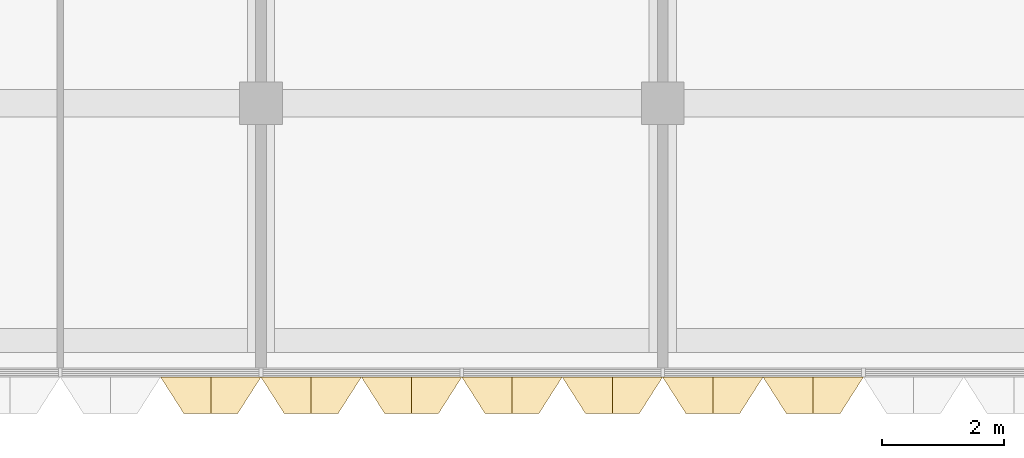
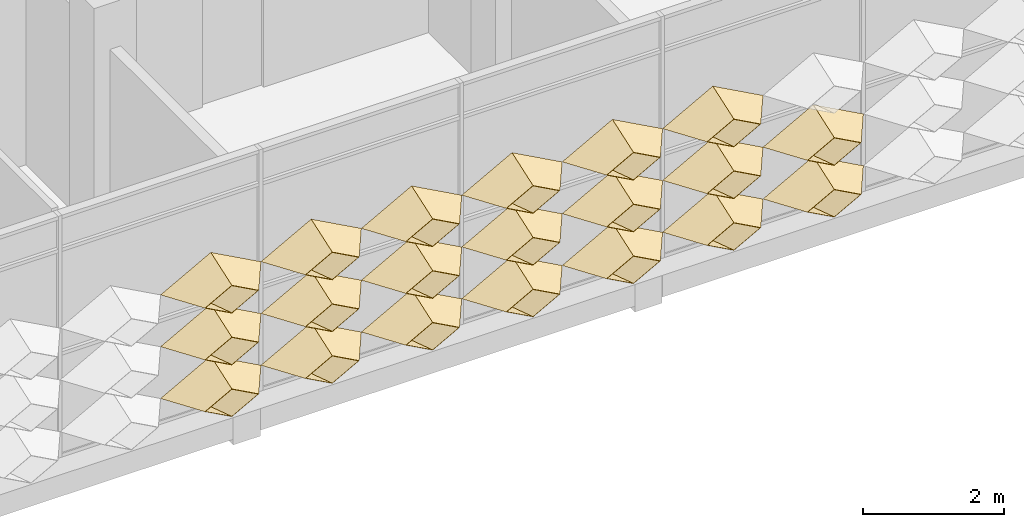
# One storey, part 34 of 61: 20 coverings.
"""IFC4 building model written with IfcOpenShell, lengths in metres."""

from ifc_helpers import new_model, entity, si_unit, direction, frame, origin, place, context, subcontext, project, spatial, material, layer, layer_set, type_object, element, save


model = new_model("IFC4")

# Units and contexts
model_context = context("Model", 3, precision=1e-05, world=origin(), true_north=direction((0.0, 1.0)))
body_context = subcontext(model_context, "Body", "Model", "MODEL_VIEW")
ifc_project = project(units=[si_unit("LENGTHUNIT", "METRE"), si_unit("AREAUNIT", "SQUARE_METRE"), si_unit("VOLUMEUNIT", "CUBIC_METRE"), si_unit("PLANEANGLEUNIT", "RADIAN"), si_unit("MASSUNIT", "GRAM", prefix="KILO")], contexts=[model_context])

# Site, building, storey
site_placement = place(None, origin())
site = spatial("IfcSite", under=ifc_project, at=site_placement, CompositionType="ELEMENT")
building_placement = place(site_placement, origin())
building = spatial("IfcBuilding", under=site, at=building_placement, Name="Lantern Court Research Institute", CompositionType="ELEMENT")
storey_placement = place(building_placement, frame((0.0, 0.0, 23.39990234375)))
storey = spatial("IfcBuildingStorey", under=building, at=storey_placement, Name="L05", CompositionType="ELEMENT", Elevation=23.39990234375)

# Coverings
ifc_material = material(Name="Anodised aluminium", Category="aluminium")
ifc_layer = layer(ifc_material, 0.01611328125)
ifc_layer_set = layer_set([ifc_layer], Name="Anodised aluminium")
covering_type = type_object("IfcCoveringType", Name="Fin cassette 1650 x 900 x 600 aluminium", PredefinedType="CLADDING", material=ifc_layer_set)
covering_1_placement = place(storey_placement, frame((18.97509765625, -8.39990234375, 0.4501953125), z_axis=(0.0, -1.0, 0.0), x_axis=(1.0, 0.0, 0.0)))
cartesian_point_1 = entity("IfcCartesianPoint", [0.824951171875, 0.0])
cartesian_point_2 = entity("IfcCartesianPoint", [0.79150390625, 0.0])
cartesian_point_3 = entity("IfcCartesianPoint", [0.44189453125, 0.0])
cartesian_point_4 = entity("IfcCartesianPoint", [0.43359375, 0.0])
element("IfcCovering", 1, at=covering_1_placement, inside=storey, type_object=covering_type, Name="Fin cassette V4S-L05 1.12", PredefinedType="CLADDING", context=body_context, shape_type="SweptSolid", body=[
    entity("IfcExtrudedAreaSolidTapered", entity("IfcArbitraryProfileDefWithVoids", "AREA", None, entity("IfcPolyline", [cartesian_point_1, entity("IfcCartesianPoint", [0.0, 0.449951171875]), entity("IfcCartesianPoint", [-0.824951171875, 0.0]), entity("IfcCartesianPoint", [0.0, -0.449951171875]), cartesian_point_1]), [entity("IfcPolyline", [cartesian_point_2, entity("IfcCartesianPoint", [0.0, 0.431884765625]), entity("IfcCartesianPoint", [-0.79150390625, 0.0]), entity("IfcCartesianPoint", [0.0, -0.431884765625]), cartesian_point_2])]), entity("IfcAxis2Placement3D", entity("IfcCartesianPoint", [0.0, 0.0, 0.0])), entity("IfcDirection", [0.0, 0.0, 1.0]), 0.60009765625, entity("IfcArbitraryProfileDefWithVoids", "AREA", None, entity("IfcPolyline", [cartesian_point_3, entity("IfcCartesianPoint", [0.0, 0.240966796875]), entity("IfcCartesianPoint", [-0.44189453125, 0.0]), entity("IfcCartesianPoint", [0.0, -0.240966796875]), cartesian_point_3]), [entity("IfcPolyline", [cartesian_point_4, entity("IfcCartesianPoint", [0.0, 0.236572265625]), entity("IfcCartesianPoint", [-0.43359375, 0.0]), entity("IfcCartesianPoint", [0.0, -0.236572265625]), cartesian_point_4])])),
])
covering_2_placement = place(storey_placement, frame((20.625, -8.39990234375, 0.4501953125), z_axis=(0.0, -1.0, 0.0), x_axis=(1.0, 0.0, 0.0)))
cartesian_point_5 = entity("IfcCartesianPoint", [0.824951171875, 0.0])
cartesian_point_6 = entity("IfcCartesianPoint", [0.79150390625, 0.0])
cartesian_point_7 = entity("IfcCartesianPoint", [0.44189453125, 0.0])
cartesian_point_8 = entity("IfcCartesianPoint", [0.43359375, 0.0])
element("IfcCovering", 2, at=covering_2_placement, inside=storey, type_object=covering_type, Name="Fin cassette V4S-L05 1.13", PredefinedType="CLADDING", context=body_context, shape_type="SweptSolid", body=[
    entity("IfcExtrudedAreaSolidTapered", entity("IfcArbitraryProfileDefWithVoids", "AREA", None, entity("IfcPolyline", [cartesian_point_5, entity("IfcCartesianPoint", [0.0, 0.449951171875]), entity("IfcCartesianPoint", [-0.824951171875, 0.0]), entity("IfcCartesianPoint", [0.0, -0.449951171875]), cartesian_point_5]), [entity("IfcPolyline", [cartesian_point_6, entity("IfcCartesianPoint", [0.0, 0.431884765625]), entity("IfcCartesianPoint", [-0.79150390625, 0.0]), entity("IfcCartesianPoint", [0.0, -0.431884765625]), cartesian_point_6])]), entity("IfcAxis2Placement3D", entity("IfcCartesianPoint", [0.0, 0.0, 0.0])), entity("IfcDirection", [0.0, 0.0, 1.0]), 0.60009765625, entity("IfcArbitraryProfileDefWithVoids", "AREA", None, entity("IfcPolyline", [cartesian_point_7, entity("IfcCartesianPoint", [0.0, 0.240966796875]), entity("IfcCartesianPoint", [-0.44189453125, 0.0]), entity("IfcCartesianPoint", [0.0, -0.240966796875]), cartesian_point_7]), [entity("IfcPolyline", [cartesian_point_8, entity("IfcCartesianPoint", [0.0, 0.236572265625]), entity("IfcCartesianPoint", [-0.43359375, 0.0]), entity("IfcCartesianPoint", [0.0, -0.236572265625]), cartesian_point_8])])),
])
covering_3_placement = place(storey_placement, frame((22.27490234375, -8.39990234375, 0.4501953125), z_axis=(0.0, -1.0, 0.0), x_axis=(1.0, 0.0, 0.0)))
cartesian_point_9 = entity("IfcCartesianPoint", [0.824951171875, 0.0])
cartesian_point_10 = entity("IfcCartesianPoint", [0.79150390625, 0.0])
cartesian_point_11 = entity("IfcCartesianPoint", [0.44189453125, 0.0])
cartesian_point_12 = entity("IfcCartesianPoint", [0.43359375, 0.0])
element("IfcCovering", 3, at=covering_3_placement, inside=storey, type_object=covering_type, Name="Fin cassette V4S-L05 1.14", PredefinedType="CLADDING", context=body_context, shape_type="SweptSolid", body=[
    entity("IfcExtrudedAreaSolidTapered", entity("IfcArbitraryProfileDefWithVoids", "AREA", None, entity("IfcPolyline", [cartesian_point_9, entity("IfcCartesianPoint", [0.0, 0.449951171875]), entity("IfcCartesianPoint", [-0.824951171875, 0.0]), entity("IfcCartesianPoint", [0.0, -0.449951171875]), cartesian_point_9]), [entity("IfcPolyline", [cartesian_point_10, entity("IfcCartesianPoint", [0.0, 0.431884765625]), entity("IfcCartesianPoint", [-0.79150390625, 0.0]), entity("IfcCartesianPoint", [0.0, -0.431884765625]), cartesian_point_10])]), entity("IfcAxis2Placement3D", entity("IfcCartesianPoint", [0.0, 0.0, 0.0])), entity("IfcDirection", [0.0, 0.0, 1.0]), 0.60009765625, entity("IfcArbitraryProfileDefWithVoids", "AREA", None, entity("IfcPolyline", [cartesian_point_11, entity("IfcCartesianPoint", [0.0, 0.240966796875]), entity("IfcCartesianPoint", [-0.44189453125, 0.0]), entity("IfcCartesianPoint", [0.0, -0.240966796875]), cartesian_point_11]), [entity("IfcPolyline", [cartesian_point_12, entity("IfcCartesianPoint", [0.0, 0.236572265625]), entity("IfcCartesianPoint", [-0.43359375, 0.0]), entity("IfcCartesianPoint", [0.0, -0.236572265625]), cartesian_point_12])])),
])
covering_4_placement = place(storey_placement, frame((23.925048828125, -8.39990234375, 0.4501953125), z_axis=(0.0, -1.0, 0.0), x_axis=(1.0, 0.0, 0.0)))
cartesian_point_13 = entity("IfcCartesianPoint", [0.824951171875, 0.0])
cartesian_point_14 = entity("IfcCartesianPoint", [0.79150390625, 0.0])
cartesian_point_15 = entity("IfcCartesianPoint", [0.44189453125, 0.0])
cartesian_point_16 = entity("IfcCartesianPoint", [0.43359375, 0.0])
element("IfcCovering", 4, at=covering_4_placement, inside=storey, type_object=covering_type, Name="Fin cassette V4S-L05 1.15", PredefinedType="CLADDING", context=body_context, shape_type="SweptSolid", body=[
    entity("IfcExtrudedAreaSolidTapered", entity("IfcArbitraryProfileDefWithVoids", "AREA", None, entity("IfcPolyline", [cartesian_point_13, entity("IfcCartesianPoint", [0.0, 0.449951171875]), entity("IfcCartesianPoint", [-0.824951171875, 0.0]), entity("IfcCartesianPoint", [0.0, -0.449951171875]), cartesian_point_13]), [entity("IfcPolyline", [cartesian_point_14, entity("IfcCartesianPoint", [0.0, 0.431884765625]), entity("IfcCartesianPoint", [-0.79150390625, 0.0]), entity("IfcCartesianPoint", [0.0, -0.431884765625]), cartesian_point_14])]), entity("IfcAxis2Placement3D", entity("IfcCartesianPoint", [0.0, 0.0, 0.0])), entity("IfcDirection", [0.0, 0.0, 1.0]), 0.60009765625, entity("IfcArbitraryProfileDefWithVoids", "AREA", None, entity("IfcPolyline", [cartesian_point_15, entity("IfcCartesianPoint", [0.0, 0.240966796875]), entity("IfcCartesianPoint", [-0.44189453125, 0.0]), entity("IfcCartesianPoint", [0.0, -0.240966796875]), cartesian_point_15]), [entity("IfcPolyline", [cartesian_point_16, entity("IfcCartesianPoint", [0.0, 0.236572265625]), entity("IfcCartesianPoint", [-0.43359375, 0.0]), entity("IfcCartesianPoint", [0.0, -0.236572265625]), cartesian_point_16])])),
])
covering_5_placement = place(storey_placement, frame((25.574951171875, -8.39990234375, 0.4501953125), z_axis=(0.0, -1.0, 0.0), x_axis=(1.0, 0.0, 0.0)))
cartesian_point_17 = entity("IfcCartesianPoint", [0.824951171875, 0.0])
cartesian_point_18 = entity("IfcCartesianPoint", [0.79150390625, 0.0])
cartesian_point_19 = entity("IfcCartesianPoint", [0.44189453125, 0.0])
cartesian_point_20 = entity("IfcCartesianPoint", [0.43359375, 0.0])
element("IfcCovering", 5, at=covering_5_placement, inside=storey, type_object=covering_type, Name="Fin cassette V4S-L05 1.16", PredefinedType="CLADDING", context=body_context, shape_type="SweptSolid", body=[
    entity("IfcExtrudedAreaSolidTapered", entity("IfcArbitraryProfileDefWithVoids", "AREA", None, entity("IfcPolyline", [cartesian_point_17, entity("IfcCartesianPoint", [0.0, 0.449951171875]), entity("IfcCartesianPoint", [-0.824951171875, 0.0]), entity("IfcCartesianPoint", [0.0, -0.449951171875]), cartesian_point_17]), [entity("IfcPolyline", [cartesian_point_18, entity("IfcCartesianPoint", [0.0, 0.431884765625]), entity("IfcCartesianPoint", [-0.79150390625, 0.0]), entity("IfcCartesianPoint", [0.0, -0.431884765625]), cartesian_point_18])]), entity("IfcAxis2Placement3D", entity("IfcCartesianPoint", [0.0, 0.0, 0.0])), entity("IfcDirection", [0.0, 0.0, 1.0]), 0.60009765625, entity("IfcArbitraryProfileDefWithVoids", "AREA", None, entity("IfcPolyline", [cartesian_point_19, entity("IfcCartesianPoint", [0.0, 0.240966796875]), entity("IfcCartesianPoint", [-0.44189453125, 0.0]), entity("IfcCartesianPoint", [0.0, -0.240966796875]), cartesian_point_19]), [entity("IfcPolyline", [cartesian_point_20, entity("IfcCartesianPoint", [0.0, 0.236572265625]), entity("IfcCartesianPoint", [-0.43359375, 0.0]), entity("IfcCartesianPoint", [0.0, -0.236572265625]), cartesian_point_20])])),
])
covering_6_placement = place(storey_placement, frame((27.22509765625, -8.39990234375, 0.4501953125), z_axis=(0.0, -1.0, 0.0), x_axis=(1.0, 0.0, 0.0)))
cartesian_point_21 = entity("IfcCartesianPoint", [0.824951171875, 0.0])
cartesian_point_22 = entity("IfcCartesianPoint", [0.79150390625, 0.0])
cartesian_point_23 = entity("IfcCartesianPoint", [0.44189453125, 0.0])
cartesian_point_24 = entity("IfcCartesianPoint", [0.43359375, 0.0])
element("IfcCovering", 6, at=covering_6_placement, inside=storey, type_object=covering_type, Name="Fin cassette V4S-L05 1.17", PredefinedType="CLADDING", context=body_context, shape_type="SweptSolid", body=[
    entity("IfcExtrudedAreaSolidTapered", entity("IfcArbitraryProfileDefWithVoids", "AREA", None, entity("IfcPolyline", [cartesian_point_21, entity("IfcCartesianPoint", [0.0, 0.449951171875]), entity("IfcCartesianPoint", [-0.824951171875, 0.0]), entity("IfcCartesianPoint", [0.0, -0.449951171875]), cartesian_point_21]), [entity("IfcPolyline", [cartesian_point_22, entity("IfcCartesianPoint", [0.0, 0.431884765625]), entity("IfcCartesianPoint", [-0.79150390625, 0.0]), entity("IfcCartesianPoint", [0.0, -0.431884765625]), cartesian_point_22])]), entity("IfcAxis2Placement3D", entity("IfcCartesianPoint", [0.0, 0.0, 0.0])), entity("IfcDirection", [0.0, 0.0, 1.0]), 0.60009765625, entity("IfcArbitraryProfileDefWithVoids", "AREA", None, entity("IfcPolyline", [cartesian_point_23, entity("IfcCartesianPoint", [0.0, 0.240966796875]), entity("IfcCartesianPoint", [-0.44189453125, 0.0]), entity("IfcCartesianPoint", [0.0, -0.240966796875]), cartesian_point_23]), [entity("IfcPolyline", [cartesian_point_24, entity("IfcCartesianPoint", [0.0, 0.236572265625]), entity("IfcCartesianPoint", [-0.43359375, 0.0]), entity("IfcCartesianPoint", [0.0, -0.236572265625]), cartesian_point_24])])),
])
covering_7_placement = place(storey_placement, frame((28.875, -8.39990234375, 0.4501953125), z_axis=(0.0, -1.0, 0.0), x_axis=(1.0, 0.0, 0.0)))
cartesian_point_25 = entity("IfcCartesianPoint", [0.824951171875, 0.0])
cartesian_point_26 = entity("IfcCartesianPoint", [0.79150390625, 0.0])
cartesian_point_27 = entity("IfcCartesianPoint", [0.44189453125, 0.0])
cartesian_point_28 = entity("IfcCartesianPoint", [0.43359375, 0.0])
element("IfcCovering", 7, at=covering_7_placement, inside=storey, type_object=covering_type, Name="Fin cassette V4S-L05 1.18", PredefinedType="CLADDING", context=body_context, shape_type="SweptSolid", body=[
    entity("IfcExtrudedAreaSolidTapered", entity("IfcArbitraryProfileDefWithVoids", "AREA", None, entity("IfcPolyline", [cartesian_point_25, entity("IfcCartesianPoint", [0.0, 0.449951171875]), entity("IfcCartesianPoint", [-0.824951171875, 0.0]), entity("IfcCartesianPoint", [0.0, -0.449951171875]), cartesian_point_25]), [entity("IfcPolyline", [cartesian_point_26, entity("IfcCartesianPoint", [0.0, 0.431884765625]), entity("IfcCartesianPoint", [-0.79150390625, 0.0]), entity("IfcCartesianPoint", [0.0, -0.431884765625]), cartesian_point_26])]), entity("IfcAxis2Placement3D", entity("IfcCartesianPoint", [0.0, 0.0, 0.0])), entity("IfcDirection", [0.0, 0.0, 1.0]), 0.60009765625, entity("IfcArbitraryProfileDefWithVoids", "AREA", None, entity("IfcPolyline", [cartesian_point_27, entity("IfcCartesianPoint", [0.0, 0.240966796875]), entity("IfcCartesianPoint", [-0.44189453125, 0.0]), entity("IfcCartesianPoint", [0.0, -0.240966796875]), cartesian_point_27]), [entity("IfcPolyline", [cartesian_point_28, entity("IfcCartesianPoint", [0.0, 0.236572265625]), entity("IfcCartesianPoint", [-0.43359375, 0.0]), entity("IfcCartesianPoint", [0.0, -0.236572265625]), cartesian_point_28])])),
])
covering_8_placement = place(storey_placement, frame((18.97509765625, -8.39990234375, 1.35009765625), z_axis=(0.0, -1.0, 0.0), x_axis=(1.0, 0.0, 0.0)))
cartesian_point_29 = entity("IfcCartesianPoint", [0.824951171875, 0.0])
cartesian_point_30 = entity("IfcCartesianPoint", [0.79150390625, 0.0])
cartesian_point_31 = entity("IfcCartesianPoint", [0.44189453125, 0.0])
cartesian_point_32 = entity("IfcCartesianPoint", [0.43359375, 0.0])
element("IfcCovering", 8, at=covering_8_placement, inside=storey, type_object=covering_type, Name="Fin cassette V4S-L05 2.12", PredefinedType="CLADDING", context=body_context, shape_type="SweptSolid", body=[
    entity("IfcExtrudedAreaSolidTapered", entity("IfcArbitraryProfileDefWithVoids", "AREA", None, entity("IfcPolyline", [cartesian_point_29, entity("IfcCartesianPoint", [0.0, 0.449951171875]), entity("IfcCartesianPoint", [-0.824951171875, 0.0]), entity("IfcCartesianPoint", [0.0, -0.449951171875]), cartesian_point_29]), [entity("IfcPolyline", [cartesian_point_30, entity("IfcCartesianPoint", [0.0, 0.431884765625]), entity("IfcCartesianPoint", [-0.79150390625, 0.0]), entity("IfcCartesianPoint", [0.0, -0.431884765625]), cartesian_point_30])]), entity("IfcAxis2Placement3D", entity("IfcCartesianPoint", [0.0, 0.0, 0.0])), entity("IfcDirection", [0.0, 0.0, 1.0]), 0.60009765625, entity("IfcArbitraryProfileDefWithVoids", "AREA", None, entity("IfcPolyline", [cartesian_point_31, entity("IfcCartesianPoint", [0.0, 0.240966796875]), entity("IfcCartesianPoint", [-0.44189453125, 0.0]), entity("IfcCartesianPoint", [0.0, -0.240966796875]), cartesian_point_31]), [entity("IfcPolyline", [cartesian_point_32, entity("IfcCartesianPoint", [0.0, 0.236572265625]), entity("IfcCartesianPoint", [-0.43359375, 0.0]), entity("IfcCartesianPoint", [0.0, -0.236572265625]), cartesian_point_32])])),
])
covering_9_placement = place(storey_placement, frame((20.625, -8.39990234375, 1.35009765625), z_axis=(0.0, -1.0, 0.0), x_axis=(1.0, 0.0, 0.0)))
cartesian_point_33 = entity("IfcCartesianPoint", [0.824951171875, 0.0])
cartesian_point_34 = entity("IfcCartesianPoint", [0.79150390625, 0.0])
cartesian_point_35 = entity("IfcCartesianPoint", [0.44189453125, 0.0])
cartesian_point_36 = entity("IfcCartesianPoint", [0.43359375, 0.0])
element("IfcCovering", 9, at=covering_9_placement, inside=storey, type_object=covering_type, Name="Fin cassette V4S-L05 2.13", PredefinedType="CLADDING", context=body_context, shape_type="SweptSolid", body=[
    entity("IfcExtrudedAreaSolidTapered", entity("IfcArbitraryProfileDefWithVoids", "AREA", None, entity("IfcPolyline", [cartesian_point_33, entity("IfcCartesianPoint", [0.0, 0.449951171875]), entity("IfcCartesianPoint", [-0.824951171875, 0.0]), entity("IfcCartesianPoint", [0.0, -0.449951171875]), cartesian_point_33]), [entity("IfcPolyline", [cartesian_point_34, entity("IfcCartesianPoint", [0.0, 0.431884765625]), entity("IfcCartesianPoint", [-0.79150390625, 0.0]), entity("IfcCartesianPoint", [0.0, -0.431884765625]), cartesian_point_34])]), entity("IfcAxis2Placement3D", entity("IfcCartesianPoint", [0.0, 0.0, 0.0])), entity("IfcDirection", [0.0, 0.0, 1.0]), 0.60009765625, entity("IfcArbitraryProfileDefWithVoids", "AREA", None, entity("IfcPolyline", [cartesian_point_35, entity("IfcCartesianPoint", [0.0, 0.240966796875]), entity("IfcCartesianPoint", [-0.44189453125, 0.0]), entity("IfcCartesianPoint", [0.0, -0.240966796875]), cartesian_point_35]), [entity("IfcPolyline", [cartesian_point_36, entity("IfcCartesianPoint", [0.0, 0.236572265625]), entity("IfcCartesianPoint", [-0.43359375, 0.0]), entity("IfcCartesianPoint", [0.0, -0.236572265625]), cartesian_point_36])])),
])
covering_10_placement = place(storey_placement, frame((22.27490234375, -8.39990234375, 1.35009765625), z_axis=(0.0, -1.0, 0.0), x_axis=(1.0, 0.0, 0.0)))
cartesian_point_37 = entity("IfcCartesianPoint", [0.824951171875, 0.0])
cartesian_point_38 = entity("IfcCartesianPoint", [0.79150390625, 0.0])
cartesian_point_39 = entity("IfcCartesianPoint", [0.44189453125, 0.0])
cartesian_point_40 = entity("IfcCartesianPoint", [0.43359375, 0.0])
element("IfcCovering", 10, at=covering_10_placement, inside=storey, type_object=covering_type, Name="Fin cassette V4S-L05 2.14", PredefinedType="CLADDING", context=body_context, shape_type="SweptSolid", body=[
    entity("IfcExtrudedAreaSolidTapered", entity("IfcArbitraryProfileDefWithVoids", "AREA", None, entity("IfcPolyline", [cartesian_point_37, entity("IfcCartesianPoint", [0.0, 0.449951171875]), entity("IfcCartesianPoint", [-0.824951171875, 0.0]), entity("IfcCartesianPoint", [0.0, -0.449951171875]), cartesian_point_37]), [entity("IfcPolyline", [cartesian_point_38, entity("IfcCartesianPoint", [0.0, 0.431884765625]), entity("IfcCartesianPoint", [-0.79150390625, 0.0]), entity("IfcCartesianPoint", [0.0, -0.431884765625]), cartesian_point_38])]), entity("IfcAxis2Placement3D", entity("IfcCartesianPoint", [0.0, 0.0, 0.0])), entity("IfcDirection", [0.0, 0.0, 1.0]), 0.60009765625, entity("IfcArbitraryProfileDefWithVoids", "AREA", None, entity("IfcPolyline", [cartesian_point_39, entity("IfcCartesianPoint", [0.0, 0.240966796875]), entity("IfcCartesianPoint", [-0.44189453125, 0.0]), entity("IfcCartesianPoint", [0.0, -0.240966796875]), cartesian_point_39]), [entity("IfcPolyline", [cartesian_point_40, entity("IfcCartesianPoint", [0.0, 0.236572265625]), entity("IfcCartesianPoint", [-0.43359375, 0.0]), entity("IfcCartesianPoint", [0.0, -0.236572265625]), cartesian_point_40])])),
])
covering_11_placement = place(storey_placement, frame((23.925048828125, -8.39990234375, 1.35009765625), z_axis=(0.0, -1.0, 0.0), x_axis=(1.0, 0.0, 0.0)))
cartesian_point_41 = entity("IfcCartesianPoint", [0.824951171875, 0.0])
cartesian_point_42 = entity("IfcCartesianPoint", [0.79150390625, 0.0])
cartesian_point_43 = entity("IfcCartesianPoint", [0.44189453125, 0.0])
cartesian_point_44 = entity("IfcCartesianPoint", [0.43359375, 0.0])
element("IfcCovering", 11, at=covering_11_placement, inside=storey, type_object=covering_type, Name="Fin cassette V4S-L05 2.15", PredefinedType="CLADDING", context=body_context, shape_type="SweptSolid", body=[
    entity("IfcExtrudedAreaSolidTapered", entity("IfcArbitraryProfileDefWithVoids", "AREA", None, entity("IfcPolyline", [cartesian_point_41, entity("IfcCartesianPoint", [0.0, 0.449951171875]), entity("IfcCartesianPoint", [-0.824951171875, 0.0]), entity("IfcCartesianPoint", [0.0, -0.449951171875]), cartesian_point_41]), [entity("IfcPolyline", [cartesian_point_42, entity("IfcCartesianPoint", [0.0, 0.431884765625]), entity("IfcCartesianPoint", [-0.79150390625, 0.0]), entity("IfcCartesianPoint", [0.0, -0.431884765625]), cartesian_point_42])]), entity("IfcAxis2Placement3D", entity("IfcCartesianPoint", [0.0, 0.0, 0.0])), entity("IfcDirection", [0.0, 0.0, 1.0]), 0.60009765625, entity("IfcArbitraryProfileDefWithVoids", "AREA", None, entity("IfcPolyline", [cartesian_point_43, entity("IfcCartesianPoint", [0.0, 0.240966796875]), entity("IfcCartesianPoint", [-0.44189453125, 0.0]), entity("IfcCartesianPoint", [0.0, -0.240966796875]), cartesian_point_43]), [entity("IfcPolyline", [cartesian_point_44, entity("IfcCartesianPoint", [0.0, 0.236572265625]), entity("IfcCartesianPoint", [-0.43359375, 0.0]), entity("IfcCartesianPoint", [0.0, -0.236572265625]), cartesian_point_44])])),
])
covering_12_placement = place(storey_placement, frame((25.574951171875, -8.39990234375, 1.35009765625), z_axis=(0.0, -1.0, 0.0), x_axis=(1.0, 0.0, 0.0)))
cartesian_point_45 = entity("IfcCartesianPoint", [0.824951171875, 0.0])
cartesian_point_46 = entity("IfcCartesianPoint", [0.79150390625, 0.0])
cartesian_point_47 = entity("IfcCartesianPoint", [0.44189453125, 0.0])
cartesian_point_48 = entity("IfcCartesianPoint", [0.43359375, 0.0])
element("IfcCovering", 12, at=covering_12_placement, inside=storey, type_object=covering_type, Name="Fin cassette V4S-L05 2.16", PredefinedType="CLADDING", context=body_context, shape_type="SweptSolid", body=[
    entity("IfcExtrudedAreaSolidTapered", entity("IfcArbitraryProfileDefWithVoids", "AREA", None, entity("IfcPolyline", [cartesian_point_45, entity("IfcCartesianPoint", [0.0, 0.449951171875]), entity("IfcCartesianPoint", [-0.824951171875, 0.0]), entity("IfcCartesianPoint", [0.0, -0.449951171875]), cartesian_point_45]), [entity("IfcPolyline", [cartesian_point_46, entity("IfcCartesianPoint", [0.0, 0.431884765625]), entity("IfcCartesianPoint", [-0.79150390625, 0.0]), entity("IfcCartesianPoint", [0.0, -0.431884765625]), cartesian_point_46])]), entity("IfcAxis2Placement3D", entity("IfcCartesianPoint", [0.0, 0.0, 0.0])), entity("IfcDirection", [0.0, 0.0, 1.0]), 0.60009765625, entity("IfcArbitraryProfileDefWithVoids", "AREA", None, entity("IfcPolyline", [cartesian_point_47, entity("IfcCartesianPoint", [0.0, 0.240966796875]), entity("IfcCartesianPoint", [-0.44189453125, 0.0]), entity("IfcCartesianPoint", [0.0, -0.240966796875]), cartesian_point_47]), [entity("IfcPolyline", [cartesian_point_48, entity("IfcCartesianPoint", [0.0, 0.236572265625]), entity("IfcCartesianPoint", [-0.43359375, 0.0]), entity("IfcCartesianPoint", [0.0, -0.236572265625]), cartesian_point_48])])),
])
covering_13_placement = place(storey_placement, frame((27.22509765625, -8.39990234375, 1.35009765625), z_axis=(0.0, -1.0, 0.0), x_axis=(1.0, 0.0, 0.0)))
cartesian_point_49 = entity("IfcCartesianPoint", [0.824951171875, 0.0])
cartesian_point_50 = entity("IfcCartesianPoint", [0.79150390625, 0.0])
cartesian_point_51 = entity("IfcCartesianPoint", [0.44189453125, 0.0])
cartesian_point_52 = entity("IfcCartesianPoint", [0.43359375, 0.0])
element("IfcCovering", 13, at=covering_13_placement, inside=storey, type_object=covering_type, Name="Fin cassette V4S-L05 2.17", PredefinedType="CLADDING", context=body_context, shape_type="SweptSolid", body=[
    entity("IfcExtrudedAreaSolidTapered", entity("IfcArbitraryProfileDefWithVoids", "AREA", None, entity("IfcPolyline", [cartesian_point_49, entity("IfcCartesianPoint", [0.0, 0.449951171875]), entity("IfcCartesianPoint", [-0.824951171875, 0.0]), entity("IfcCartesianPoint", [0.0, -0.449951171875]), cartesian_point_49]), [entity("IfcPolyline", [cartesian_point_50, entity("IfcCartesianPoint", [0.0, 0.431884765625]), entity("IfcCartesianPoint", [-0.79150390625, 0.0]), entity("IfcCartesianPoint", [0.0, -0.431884765625]), cartesian_point_50])]), entity("IfcAxis2Placement3D", entity("IfcCartesianPoint", [0.0, 0.0, 0.0])), entity("IfcDirection", [0.0, 0.0, 1.0]), 0.60009765625, entity("IfcArbitraryProfileDefWithVoids", "AREA", None, entity("IfcPolyline", [cartesian_point_51, entity("IfcCartesianPoint", [0.0, 0.240966796875]), entity("IfcCartesianPoint", [-0.44189453125, 0.0]), entity("IfcCartesianPoint", [0.0, -0.240966796875]), cartesian_point_51]), [entity("IfcPolyline", [cartesian_point_52, entity("IfcCartesianPoint", [0.0, 0.236572265625]), entity("IfcCartesianPoint", [-0.43359375, 0.0]), entity("IfcCartesianPoint", [0.0, -0.236572265625]), cartesian_point_52])])),
])
covering_14_placement = place(storey_placement, frame((28.875, -8.39990234375, 1.35009765625), z_axis=(0.0, -1.0, 0.0), x_axis=(1.0, 0.0, 0.0)))
cartesian_point_53 = entity("IfcCartesianPoint", [0.824951171875, 0.0])
cartesian_point_54 = entity("IfcCartesianPoint", [0.79150390625, 0.0])
cartesian_point_55 = entity("IfcCartesianPoint", [0.44189453125, 0.0])
cartesian_point_56 = entity("IfcCartesianPoint", [0.43359375, 0.0])
element("IfcCovering", 14, at=covering_14_placement, inside=storey, type_object=covering_type, Name="Fin cassette V4S-L05 2.18", PredefinedType="CLADDING", context=body_context, shape_type="SweptSolid", body=[
    entity("IfcExtrudedAreaSolidTapered", entity("IfcArbitraryProfileDefWithVoids", "AREA", None, entity("IfcPolyline", [cartesian_point_53, entity("IfcCartesianPoint", [0.0, 0.449951171875]), entity("IfcCartesianPoint", [-0.824951171875, 0.0]), entity("IfcCartesianPoint", [0.0, -0.449951171875]), cartesian_point_53]), [entity("IfcPolyline", [cartesian_point_54, entity("IfcCartesianPoint", [0.0, 0.431884765625]), entity("IfcCartesianPoint", [-0.79150390625, 0.0]), entity("IfcCartesianPoint", [0.0, -0.431884765625]), cartesian_point_54])]), entity("IfcAxis2Placement3D", entity("IfcCartesianPoint", [0.0, 0.0, 0.0])), entity("IfcDirection", [0.0, 0.0, 1.0]), 0.60009765625, entity("IfcArbitraryProfileDefWithVoids", "AREA", None, entity("IfcPolyline", [cartesian_point_55, entity("IfcCartesianPoint", [0.0, 0.240966796875]), entity("IfcCartesianPoint", [-0.44189453125, 0.0]), entity("IfcCartesianPoint", [0.0, -0.240966796875]), cartesian_point_55]), [entity("IfcPolyline", [cartesian_point_56, entity("IfcCartesianPoint", [0.0, 0.236572265625]), entity("IfcCartesianPoint", [-0.43359375, 0.0]), entity("IfcCartesianPoint", [0.0, -0.236572265625]), cartesian_point_56])])),
])
covering_15_placement = place(storey_placement, frame((18.97509765625, -8.39990234375, 2.25), z_axis=(0.0, -1.0, 0.0), x_axis=(1.0, 0.0, 0.0)))
cartesian_point_57 = entity("IfcCartesianPoint", [0.824951171875, 0.0])
cartesian_point_58 = entity("IfcCartesianPoint", [0.79150390625, 0.0])
cartesian_point_59 = entity("IfcCartesianPoint", [0.44189453125, 0.0])
cartesian_point_60 = entity("IfcCartesianPoint", [0.43359375, 0.0])
element("IfcCovering", 15, at=covering_15_placement, inside=storey, type_object=covering_type, Name="Fin cassette V4S-L05 3.12", PredefinedType="CLADDING", context=body_context, shape_type="SweptSolid", body=[
    entity("IfcExtrudedAreaSolidTapered", entity("IfcArbitraryProfileDefWithVoids", "AREA", None, entity("IfcPolyline", [cartesian_point_57, entity("IfcCartesianPoint", [0.0, 0.449951171875]), entity("IfcCartesianPoint", [-0.824951171875, 0.0]), entity("IfcCartesianPoint", [0.0, -0.449951171875]), cartesian_point_57]), [entity("IfcPolyline", [cartesian_point_58, entity("IfcCartesianPoint", [0.0, 0.431884765625]), entity("IfcCartesianPoint", [-0.79150390625, 0.0]), entity("IfcCartesianPoint", [0.0, -0.431884765625]), cartesian_point_58])]), entity("IfcAxis2Placement3D", entity("IfcCartesianPoint", [0.0, 0.0, 0.0])), entity("IfcDirection", [0.0, 0.0, 1.0]), 0.60009765625, entity("IfcArbitraryProfileDefWithVoids", "AREA", None, entity("IfcPolyline", [cartesian_point_59, entity("IfcCartesianPoint", [0.0, 0.240966796875]), entity("IfcCartesianPoint", [-0.44189453125, 0.0]), entity("IfcCartesianPoint", [0.0, -0.240966796875]), cartesian_point_59]), [entity("IfcPolyline", [cartesian_point_60, entity("IfcCartesianPoint", [0.0, 0.236572265625]), entity("IfcCartesianPoint", [-0.43359375, 0.0]), entity("IfcCartesianPoint", [0.0, -0.236572265625]), cartesian_point_60])])),
])
covering_16_placement = place(storey_placement, frame((20.625, -8.39990234375, 2.25), z_axis=(0.0, -1.0, 0.0), x_axis=(1.0, 0.0, 0.0)))
cartesian_point_61 = entity("IfcCartesianPoint", [0.824951171875, 0.0])
cartesian_point_62 = entity("IfcCartesianPoint", [0.79150390625, 0.0])
cartesian_point_63 = entity("IfcCartesianPoint", [0.44189453125, 0.0])
cartesian_point_64 = entity("IfcCartesianPoint", [0.43359375, 0.0])
element("IfcCovering", 16, at=covering_16_placement, inside=storey, type_object=covering_type, Name="Fin cassette V4S-L05 3.13", PredefinedType="CLADDING", context=body_context, shape_type="SweptSolid", body=[
    entity("IfcExtrudedAreaSolidTapered", entity("IfcArbitraryProfileDefWithVoids", "AREA", None, entity("IfcPolyline", [cartesian_point_61, entity("IfcCartesianPoint", [0.0, 0.449951171875]), entity("IfcCartesianPoint", [-0.824951171875, 0.0]), entity("IfcCartesianPoint", [0.0, -0.449951171875]), cartesian_point_61]), [entity("IfcPolyline", [cartesian_point_62, entity("IfcCartesianPoint", [0.0, 0.431884765625]), entity("IfcCartesianPoint", [-0.79150390625, 0.0]), entity("IfcCartesianPoint", [0.0, -0.431884765625]), cartesian_point_62])]), entity("IfcAxis2Placement3D", entity("IfcCartesianPoint", [0.0, 0.0, 0.0])), entity("IfcDirection", [0.0, 0.0, 1.0]), 0.60009765625, entity("IfcArbitraryProfileDefWithVoids", "AREA", None, entity("IfcPolyline", [cartesian_point_63, entity("IfcCartesianPoint", [0.0, 0.240966796875]), entity("IfcCartesianPoint", [-0.44189453125, 0.0]), entity("IfcCartesianPoint", [0.0, -0.240966796875]), cartesian_point_63]), [entity("IfcPolyline", [cartesian_point_64, entity("IfcCartesianPoint", [0.0, 0.236572265625]), entity("IfcCartesianPoint", [-0.43359375, 0.0]), entity("IfcCartesianPoint", [0.0, -0.236572265625]), cartesian_point_64])])),
])
covering_17_placement = place(storey_placement, frame((22.27490234375, -8.39990234375, 2.25), z_axis=(0.0, -1.0, 0.0), x_axis=(1.0, 0.0, 0.0)))
cartesian_point_65 = entity("IfcCartesianPoint", [0.824951171875, 0.0])
cartesian_point_66 = entity("IfcCartesianPoint", [0.79150390625, 0.0])
cartesian_point_67 = entity("IfcCartesianPoint", [0.44189453125, 0.0])
cartesian_point_68 = entity("IfcCartesianPoint", [0.43359375, 0.0])
element("IfcCovering", 17, at=covering_17_placement, inside=storey, type_object=covering_type, Name="Fin cassette V4S-L05 3.14", PredefinedType="CLADDING", context=body_context, shape_type="SweptSolid", body=[
    entity("IfcExtrudedAreaSolidTapered", entity("IfcArbitraryProfileDefWithVoids", "AREA", None, entity("IfcPolyline", [cartesian_point_65, entity("IfcCartesianPoint", [0.0, 0.449951171875]), entity("IfcCartesianPoint", [-0.824951171875, 0.0]), entity("IfcCartesianPoint", [0.0, -0.449951171875]), cartesian_point_65]), [entity("IfcPolyline", [cartesian_point_66, entity("IfcCartesianPoint", [0.0, 0.431884765625]), entity("IfcCartesianPoint", [-0.79150390625, 0.0]), entity("IfcCartesianPoint", [0.0, -0.431884765625]), cartesian_point_66])]), entity("IfcAxis2Placement3D", entity("IfcCartesianPoint", [0.0, 0.0, 0.0])), entity("IfcDirection", [0.0, 0.0, 1.0]), 0.60009765625, entity("IfcArbitraryProfileDefWithVoids", "AREA", None, entity("IfcPolyline", [cartesian_point_67, entity("IfcCartesianPoint", [0.0, 0.240966796875]), entity("IfcCartesianPoint", [-0.44189453125, 0.0]), entity("IfcCartesianPoint", [0.0, -0.240966796875]), cartesian_point_67]), [entity("IfcPolyline", [cartesian_point_68, entity("IfcCartesianPoint", [0.0, 0.236572265625]), entity("IfcCartesianPoint", [-0.43359375, 0.0]), entity("IfcCartesianPoint", [0.0, -0.236572265625]), cartesian_point_68])])),
])
covering_18_placement = place(storey_placement, frame((23.925048828125, -8.39990234375, 2.25), z_axis=(0.0, -1.0, 0.0), x_axis=(1.0, 0.0, 0.0)))
cartesian_point_69 = entity("IfcCartesianPoint", [0.824951171875, 0.0])
cartesian_point_70 = entity("IfcCartesianPoint", [0.79150390625, 0.0])
cartesian_point_71 = entity("IfcCartesianPoint", [0.44189453125, 0.0])
cartesian_point_72 = entity("IfcCartesianPoint", [0.43359375, 0.0])
element("IfcCovering", 18, at=covering_18_placement, inside=storey, type_object=covering_type, Name="Fin cassette V4S-L05 3.15", PredefinedType="CLADDING", context=body_context, shape_type="SweptSolid", body=[
    entity("IfcExtrudedAreaSolidTapered", entity("IfcArbitraryProfileDefWithVoids", "AREA", None, entity("IfcPolyline", [cartesian_point_69, entity("IfcCartesianPoint", [0.0, 0.449951171875]), entity("IfcCartesianPoint", [-0.824951171875, 0.0]), entity("IfcCartesianPoint", [0.0, -0.449951171875]), cartesian_point_69]), [entity("IfcPolyline", [cartesian_point_70, entity("IfcCartesianPoint", [0.0, 0.431884765625]), entity("IfcCartesianPoint", [-0.79150390625, 0.0]), entity("IfcCartesianPoint", [0.0, -0.431884765625]), cartesian_point_70])]), entity("IfcAxis2Placement3D", entity("IfcCartesianPoint", [0.0, 0.0, 0.0])), entity("IfcDirection", [0.0, 0.0, 1.0]), 0.60009765625, entity("IfcArbitraryProfileDefWithVoids", "AREA", None, entity("IfcPolyline", [cartesian_point_71, entity("IfcCartesianPoint", [0.0, 0.240966796875]), entity("IfcCartesianPoint", [-0.44189453125, 0.0]), entity("IfcCartesianPoint", [0.0, -0.240966796875]), cartesian_point_71]), [entity("IfcPolyline", [cartesian_point_72, entity("IfcCartesianPoint", [0.0, 0.236572265625]), entity("IfcCartesianPoint", [-0.43359375, 0.0]), entity("IfcCartesianPoint", [0.0, -0.236572265625]), cartesian_point_72])])),
])
covering_19_placement = place(storey_placement, frame((25.574951171875, -8.39990234375, 2.25), z_axis=(0.0, -1.0, 0.0), x_axis=(1.0, 0.0, 0.0)))
cartesian_point_73 = entity("IfcCartesianPoint", [0.824951171875, 0.0])
cartesian_point_74 = entity("IfcCartesianPoint", [0.79150390625, 0.0])
cartesian_point_75 = entity("IfcCartesianPoint", [0.44189453125, 0.0])
cartesian_point_76 = entity("IfcCartesianPoint", [0.43359375, 0.0])
element("IfcCovering", 19, at=covering_19_placement, inside=storey, type_object=covering_type, Name="Fin cassette V4S-L05 3.16", PredefinedType="CLADDING", context=body_context, shape_type="SweptSolid", body=[
    entity("IfcExtrudedAreaSolidTapered", entity("IfcArbitraryProfileDefWithVoids", "AREA", None, entity("IfcPolyline", [cartesian_point_73, entity("IfcCartesianPoint", [0.0, 0.449951171875]), entity("IfcCartesianPoint", [-0.824951171875, 0.0]), entity("IfcCartesianPoint", [0.0, -0.449951171875]), cartesian_point_73]), [entity("IfcPolyline", [cartesian_point_74, entity("IfcCartesianPoint", [0.0, 0.431884765625]), entity("IfcCartesianPoint", [-0.79150390625, 0.0]), entity("IfcCartesianPoint", [0.0, -0.431884765625]), cartesian_point_74])]), entity("IfcAxis2Placement3D", entity("IfcCartesianPoint", [0.0, 0.0, 0.0])), entity("IfcDirection", [0.0, 0.0, 1.0]), 0.60009765625, entity("IfcArbitraryProfileDefWithVoids", "AREA", None, entity("IfcPolyline", [cartesian_point_75, entity("IfcCartesianPoint", [0.0, 0.240966796875]), entity("IfcCartesianPoint", [-0.44189453125, 0.0]), entity("IfcCartesianPoint", [0.0, -0.240966796875]), cartesian_point_75]), [entity("IfcPolyline", [cartesian_point_76, entity("IfcCartesianPoint", [0.0, 0.236572265625]), entity("IfcCartesianPoint", [-0.43359375, 0.0]), entity("IfcCartesianPoint", [0.0, -0.236572265625]), cartesian_point_76])])),
])
covering_20_placement = place(storey_placement, frame((27.22509765625, -8.39990234375, 2.25), z_axis=(0.0, -1.0, 0.0), x_axis=(1.0, 0.0, 0.0)))
cartesian_point_77 = entity("IfcCartesianPoint", [0.824951171875, 0.0])
cartesian_point_78 = entity("IfcCartesianPoint", [0.79150390625, 0.0])
cartesian_point_79 = entity("IfcCartesianPoint", [0.44189453125, 0.0])
cartesian_point_80 = entity("IfcCartesianPoint", [0.43359375, 0.0])
element("IfcCovering", 20, at=covering_20_placement, inside=storey, type_object=covering_type, Name="Fin cassette V4S-L05 3.17", PredefinedType="CLADDING", context=body_context, shape_type="SweptSolid", body=[
    entity("IfcExtrudedAreaSolidTapered", entity("IfcArbitraryProfileDefWithVoids", "AREA", None, entity("IfcPolyline", [cartesian_point_77, entity("IfcCartesianPoint", [0.0, 0.449951171875]), entity("IfcCartesianPoint", [-0.824951171875, 0.0]), entity("IfcCartesianPoint", [0.0, -0.449951171875]), cartesian_point_77]), [entity("IfcPolyline", [cartesian_point_78, entity("IfcCartesianPoint", [0.0, 0.431884765625]), entity("IfcCartesianPoint", [-0.79150390625, 0.0]), entity("IfcCartesianPoint", [0.0, -0.431884765625]), cartesian_point_78])]), entity("IfcAxis2Placement3D", entity("IfcCartesianPoint", [0.0, 0.0, 0.0])), entity("IfcDirection", [0.0, 0.0, 1.0]), 0.60009765625, entity("IfcArbitraryProfileDefWithVoids", "AREA", None, entity("IfcPolyline", [cartesian_point_79, entity("IfcCartesianPoint", [0.0, 0.240966796875]), entity("IfcCartesianPoint", [-0.44189453125, 0.0]), entity("IfcCartesianPoint", [0.0, -0.240966796875]), cartesian_point_79]), [entity("IfcPolyline", [cartesian_point_80, entity("IfcCartesianPoint", [0.0, 0.236572265625]), entity("IfcCartesianPoint", [-0.43359375, 0.0]), entity("IfcCartesianPoint", [0.0, -0.236572265625]), cartesian_point_80])])),
])

save(model, "model.ifc")
